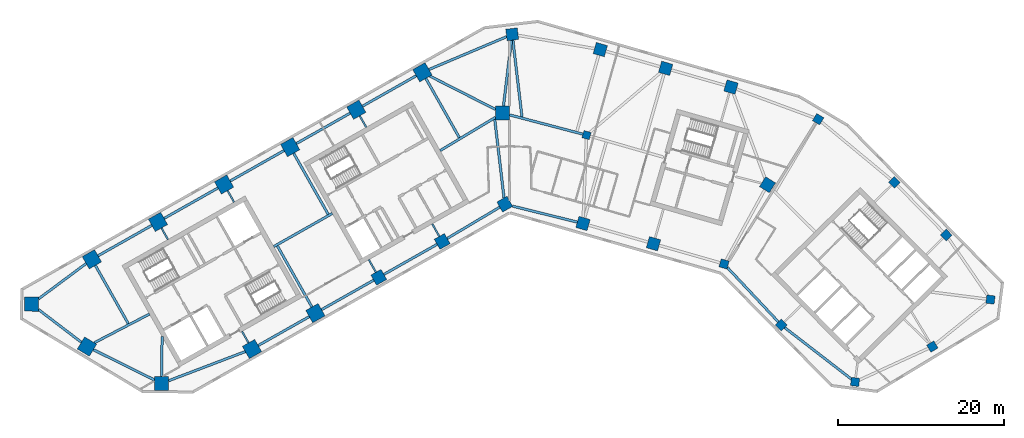
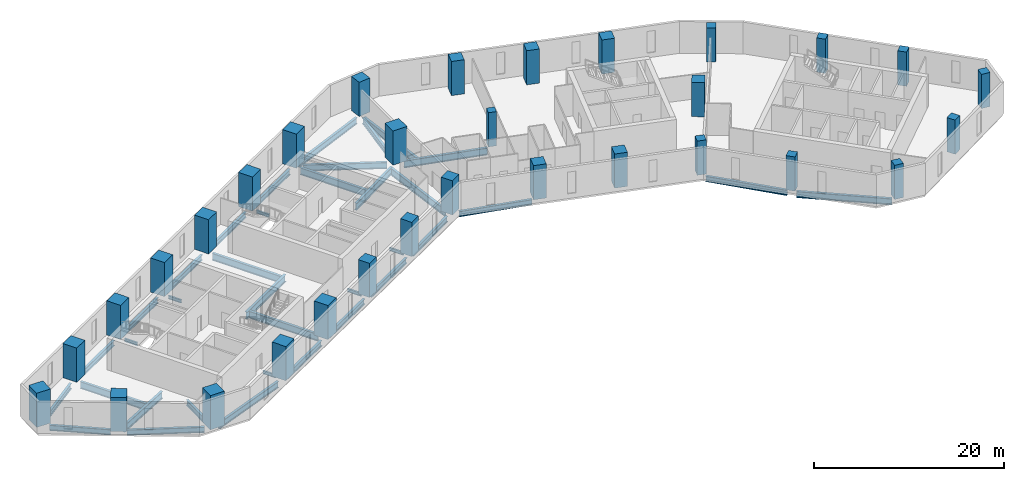
# One storey, part 1 of 10: 36 beams, 31 columns.
"""IFC4 building model written with IfcOpenShell, lengths in metres."""

from ifc_helpers import new_model, si_unit, direction, frame, origin, origin_2d, place, context, subcontext, project, spatial, rectangle, i_section, extrude, material, material_profile, profile_set, type_object, element, save


model = new_model("IFC4")

# Units and contexts
model_context = context("Model", 3, precision=1e-05, world=origin(), true_north=direction((0.0, 1.0)))
body_context = subcontext(model_context, "Body", "Model", "MODEL_VIEW")
ifc_project = project(units=[si_unit("LENGTHUNIT", "METRE"), si_unit("AREAUNIT", "SQUARE_METRE"), si_unit("VOLUMEUNIT", "CUBIC_METRE"), si_unit("PLANEANGLEUNIT", "RADIAN"), si_unit("MASSUNIT", "GRAM", prefix="KILO")], contexts=[model_context])

# Site, building, storey
site_placement = place(None, origin())
site = spatial("IfcSite", under=ifc_project, at=site_placement, CompositionType="ELEMENT")
building_placement = place(site_placement, origin())
building = spatial("IfcBuilding", under=site, at=building_placement, Name="Binnacle Exchange Tower", CompositionType="ELEMENT")
storey_placement = place(building_placement, frame((0.0, 0.0, 136.699951171875)))
storey = spatial("IfcBuildingStorey", under=building, at=storey_placement, Name="L28", CompositionType="ELEMENT", Elevation=136.699951171875)

# Columns
ifc_material_1 = material(Name="Concrete C60/75", Category="concrete")
ifc_material_profile_1 = material_profile(ifc_material_1, rectangle(XDim=0.89990234375, YDim=0.89990234375, at=origin_2d()), Name="Column 900x900 C60/75")
ifc_profile_set_1 = profile_set([ifc_material_profile_1], Name="Concrete C60/75")
column_type_1 = type_object("IfcColumnType", Name="Column 900x900 C60/75", PredefinedType="COLUMN", material=ifc_profile_set_1)
column_placement = place(storey_placement, frame((9.240966796875, 57.35009765625, 0.0), z_axis=(0.0, 0.0, 1.0), x_axis=(0.961261695938, -0.275637355817, 0.0)))
element("IfcColumn", 1, at=column_placement, inside=storey, type_object=column_type_1, Name="S:COL:C19:L28", PredefinedType="COLUMN", context=body_context, shape_type="SweptSolid", body=[
    extrude(rectangle(XDim=0.89990234375, YDim=0.89990234375, at=origin_2d()), origin(), (0.0, 0.0, 1.0), 4.400146484375),
])
ifc_material_2 = material(Name="Concrete C70/85", Category="concrete")
ifc_material_profile_2 = material_profile(ifc_material_2, rectangle(XDim=1.0, YDim=1.0, at=origin_2d()), Name="Mega column 1000x1000 C70/85")
ifc_profile_set_2 = profile_set([ifc_material_profile_2], Name="Concrete C70/85")
column_type_2 = type_object("IfcColumnType", Name="Mega column 1000x1000 C70/85", PredefinedType="COLUMN", material=ifc_profile_set_2)
for number, where, z_axis, x_axis, name in (
    (2, (37.0849609375, 59.262451171875, 0.0), (0.0, 0.0, 1.0), (-0.859406411501, 0.511293086077, 0.0), "S:COL:MC57:L28"),
    (3, (25.766845703125, 41.85986328125, 0.0), (0.0, 0.0, 1.0), (0.961261695938, -0.275637355817, 0.0), "S:COL:MC56:L28"),
    (4, (32.64111328125, 34.530029296875, 0.0), (0.0, 0.0, 1.0), (0.7009092643, -0.713250449154, 0.0), "S:COL:MC59:L28"),
    (5, (41.519775390625, 27.6748046875, 0.0), (0.0, 0.0, 1.0), (0.99200494968, -0.126198969136, 0.0), "S:COL:MC61:L28"),
    (6, (50.81201171875, 31.930908203125, 0.0), (0.0, 0.0, 1.0), (0.857167300702, 0.51503807491, 0.0), "S:COL:MC63:L28"),
    (7, (57.799072265625, 37.5810546875, 0.0), (0.0, 0.0, 1.0), (0.126198969136, 0.99200494968, 0.0), "S:COL:MC62:L28"),
    (8, (52.466796875, 45.33935546875, 0.0), (0.0, 0.0, 1.0), (-0.7009092643, 0.713250449154, 0.0), "S:COL:MC60:L28"),
    (9, (46.248291015625, 51.667236328125, 0.0), (0.0, 0.0, 1.0), (-0.7009092643, 0.713250449154, 0.0), "S:COL:MC58:L28"),
):
    element("IfcColumn", number, at=place(storey_placement, frame(where, z_axis=z_axis, x_axis=x_axis)), inside=storey, type_object=column_type_2, Name=name, PredefinedType="COLUMN", context=body_context, shape_type="SweptSolid", body=[
        extrude(rectangle(XDim=1.0, YDim=1.0, at=origin_2d()), origin(), (0.0, 0.0, 1.0), 4.400146484375),
    ])
ifc_material_profile_3 = material_profile(ifc_material_2, rectangle(XDim=1.39990234375, YDim=1.39990234375, at=origin_2d()), Name="Mega column 1400x1400 C70/85")
ifc_profile_set_3 = profile_set([ifc_material_profile_3], Name="Concrete C70/85")
column_type_3 = type_object("IfcColumnType", Name="Mega column 1400x1400 C70/85", PredefinedType="COLUMN", material=ifc_profile_set_3)
for number, where, z_axis, x_axis, name in (
    (10, (26.602783203125, 63.12353515625, 0.0), (0.0, 0.0, 1.0), (-0.961261695938, 0.275637355817, 0.0), "S:COL:MC52:L28"),
    (11, (18.746337890625, 65.376220703125, 0.0), (0.0, 0.0, 1.0), (-0.961261695938, 0.275637355817, 0.0), "S:COL:MC50:L28"),
    (12, (10.889892578125, 67.62890625, 0.0), (0.0, 0.0, 1.0), (-0.961261695938, 0.275637355817, 0.0), "S:COL:MC48:L28"),
    (13, (0.300048828125, 69.464111328125, 0.0), (0.0, 0.0, 1.0), (-0.993068456955, -0.117537397458, 0.0), "S:COL:MC47:L28"),
    (14, (-15.736328125, 40.257080078125, 0.0), (0.0, 0.0, 1.0), (0.87035569594, 0.492423560103, 0.0), "S:COL:MC24:L28"),
    (15, (-8.116943359375, 44.568115234375, 0.0), (0.0, 0.0, 1.0), (0.87035569594, 0.492423560103, 0.0), "S:COL:MC35:L28"),
    (16, (-0.5908203125, 49.04443359375, 0.0), (0.0, 0.0, 1.0), (0.87035569594, 0.492423560103, 0.0), "S:COL:MC46:L28"),
    (17, (8.8095703125, 46.722412109375, 0.0), (0.0, 0.0, 1.0), (0.961261695938, -0.275637355817, 0.0), "S:COL:MC49:L28"),
    (18, (17.2880859375, 44.291015625, 0.0), (0.0, 0.0, 1.0), (0.961261695938, -0.275637355817, 0.0), "S:COL:MC51:L28"),
    (19, (30.989501953125, 51.38623046875, 0.0), (0.0, 0.0, 1.0), (0.529919264233, 0.848048096156, 0.0), "S:COL:MC55:L28"),
):
    element("IfcColumn", number, at=place(storey_placement, frame(where, z_axis=z_axis, x_axis=x_axis)), inside=storey, type_object=column_type_3, Name=name, PredefinedType="COLUMN", context=body_context, shape_type="SweptSolid", body=[
        extrude(rectangle(XDim=1.39990234375, YDim=1.39990234375, at=origin_2d()), origin(), (0.0, 0.0, 1.0), 4.400146484375),
    ])
ifc_material_profile_4 = material_profile(ifc_material_2, rectangle(XDim=1.699951171875, YDim=1.699951171875, at=origin_2d()), Name="Mega column 1700x1700 C70/85")
ifc_profile_set_4 = profile_set([ifc_material_profile_4], Name="Concrete C70/85")
column_type_4 = type_object("IfcColumnType", Name="Mega column 1700x1700 C70/85", PredefinedType="COLUMN", material=ifc_profile_set_4)
for number, where, z_axis, x_axis, name in (
    (20, (-10.4951171875, 64.901611328125, 0.0), (0.0, 0.0, 1.0), (-0.87035569594, -0.492423560103, 0.0), "S:COL:MC38:L28"),
    (21, (-18.44140625, 60.406005859375, 0.0), (0.0, 0.0, 1.0), (-0.87035569594, -0.492423560103, 0.0), "S:COL:MC29:L28"),
    (22, (-26.3876953125, 55.91015625, 0.0), (0.0, 0.0, 1.0), (-0.87035569594, -0.492423560103, 0.0), "S:COL:MC21:L28"),
    (23, (-34.333740234375, 51.414306640625, 0.0), (0.0, 0.0, 1.0), (-0.87035569594, -0.492423560103, 0.0), "S:COL:MC13:L28"),
    (24, (-42.280029296875, 46.918701171875, 0.0), (0.0, 0.0, 1.0), (-0.87035569594, -0.492423560103, 0.0), "S:COL:MC08:L28"),
    (25, (-50.226318359375, 42.4228515625, 0.0), (0.0, 0.0, 1.0), (-0.87035569594, -0.492423560103, 0.0), "S:COL:MC04:L28"),
    (26, (-57.492919921875, 37.02734375, 0.0), (0.0, 0.0, 1.0), (-0.013089595571, -0.999914327574, 0.0), "S:COL:MC02:L28"),
    (27, (-50.81201171875, 31.930908203125, 0.0), (0.0, 0.0, 1.0), (0.857167300702, -0.51503807491, 0.0), "S:COL:MC01:L28"),
    (28, (-41.857666015625, 27.494873046875, 0.0), (0.0, 0.0, 1.0), (0.999914327574, -0.013089595571, 0.0), "S:COL:MC03:L28"),
    (29, (-30.9755859375, 31.63525390625, 0.0), (0.0, 0.0, 1.0), (0.87035569594, 0.492423560103, 0.0), "S:COL:MC07:L28"),
    (30, (-23.35595703125, 35.9462890625, 0.0), (0.0, 0.0, 1.0), (0.87035569594, 0.492423560103, 0.0), "S:COL:MC16:L28"),
    (31, (-0.85009765625, 60.0, 0.0), (0.0, 0.0, 1.0), (0.0, 1.0, 0.0), "S:COL:MC45:L28"),
):
    element("IfcColumn", number, at=place(storey_placement, frame(where, z_axis=z_axis, x_axis=x_axis)), inside=storey, type_object=column_type_4, Name=name, PredefinedType="COLUMN", context=body_context, shape_type="SweptSolid", body=[
        extrude(rectangle(XDim=1.699951171875, YDim=1.699951171875, at=origin_2d()), origin(), (0.0, 0.0, 1.0), 4.400146484375),
    ])

# Beams
ifc_material_3 = material(Name="Steel S355 (SHN355)", Category="steel")
ifc_material_profile_5 = material_profile(ifc_material_3, i_section(OverallWidth=0.300048828125, OverallDepth=0.699951171875, WebThickness=0.012939453125, FlangeThickness=0.02392578125, FilletRadius=0.028076171875, at=origin_2d()), Name="H 700x300x13x24")
ifc_profile_set_5 = profile_set([ifc_material_profile_5], Name="Steel S355 (SHN355)")
beam_type_1 = type_object("IfcBeamType", Name="Edge girder H 700x300x13x24 Steel S355 (SHN355)", PredefinedType="SPANDREL", material=ifc_profile_set_5)
beam_1_placement = place(storey_placement, frame((-56.6513671875, 36.38525390625, -0.669921875), z_axis=(0.795093040263, -0.606487474994, 0.0), x_axis=(0.606487474994, 0.795093040263, 0.0)))
element("IfcBeam", 32, at=beam_1_placement, inside=storey, type_object=beam_type_1, Name="S:BM:edge:L28:015", PredefinedType="SPANDREL", context=body_context, shape_type="SweptSolid", body=[
    extrude(i_section(OverallWidth=0.300048828125, OverallDepth=0.699951171875, WebThickness=0.012939453125, FlangeThickness=0.02392578125, FilletRadius=0.028076171875, at=origin_2d()), origin(), (0.0, 0.0, 1.0), 6.489013671875),
])
beam_2_placement = place(storey_placement, frame((-50.913818359375, 41.912353515625, -0.669921875), z_axis=(-0.80288535334, -0.59613346609, 0.0), x_axis=(0.59613346609, -0.80288535334, 0.0)))
element("IfcBeam", 33, at=beam_2_placement, inside=storey, type_object=beam_type_1, Name="S:BM:edge:L28:016", PredefinedType="SPANDREL", context=body_context, shape_type="SweptSolid", body=[
    extrude(i_section(OverallWidth=0.300048828125, OverallDepth=0.699951171875, WebThickness=0.012939453125, FlangeThickness=0.02392578125, FilletRadius=0.028076171875, at=origin_2d()), origin(), (0.0, 0.0, 1.0), 7.125244140625),
])
beam_3_placement = place(storey_placement, frame((-43.019775390625, 46.5, -0.669921875), z_axis=(-0.870364477798, -0.492408037898, 0.0), x_axis=(0.492408037898, -0.870364477798, 0.0)))
element("IfcBeam", 34, at=beam_3_placement, inside=storey, type_object=beam_type_1, Name="S:BM:edge:L28:018", PredefinedType="SPANDREL", context=body_context, shape_type="SweptSolid", body=[
    extrude(i_section(OverallWidth=0.300048828125, OverallDepth=0.699951171875, WebThickness=0.012939453125, FlangeThickness=0.02392578125, FilletRadius=0.028076171875, at=origin_2d()), origin(), (0.0, 0.0, 1.0), 7.4296875),
])
beam_4_placement = place(storey_placement, frame((-35.073486328125, 50.995849609375, -0.669921875), z_axis=(-0.870372444894, -0.492393955253, 0.0), x_axis=(0.492393955253, -0.870372444894, 0.0)))
element("IfcBeam", 35, at=beam_4_placement, inside=storey, type_object=beam_type_1, Name="S:BM:edge:L28:020", PredefinedType="SPANDREL", context=body_context, shape_type="SweptSolid", body=[
    extrude(i_section(OverallWidth=0.300048828125, OverallDepth=0.699951171875, WebThickness=0.012939453125, FlangeThickness=0.02392578125, FilletRadius=0.028076171875, at=origin_2d()), origin(), (0.0, 0.0, 1.0), 7.429931640625),
])
beam_5_placement = place(storey_placement, frame((-30.23583984375, 32.053955078125, -0.669921875), z_axis=(0.870373276953, 0.492392484473, 0.0), x_axis=(-0.492392484473, 0.870373276953, 0.0)))
element("IfcBeam", 36, at=beam_5_placement, inside=storey, type_object=beam_type_1, Name="S:BM:edge:L28:021", PredefinedType="SPANDREL", context=body_context, shape_type="SweptSolid", body=[
    extrude(i_section(OverallWidth=0.300048828125, OverallDepth=0.699951171875, WebThickness=0.012939453125, FlangeThickness=0.02392578125, FilletRadius=0.028076171875, at=origin_2d()), origin(), (0.0, 0.0, 1.0), 7.0546875),
])
beam_6_placement = place(storey_placement, frame((-27.12744140625, 55.49169921875, -0.669921875), z_axis=(-0.870350394687, -0.492432929919, 0.0), x_axis=(0.492432929919, -0.870350394687, 0.0)))
element("IfcBeam", 37, at=beam_6_placement, inside=storey, type_object=beam_type_1, Name="S:BM:edge:L28:022", PredefinedType="SPANDREL", context=body_context, shape_type="SweptSolid", body=[
    extrude(i_section(OverallWidth=0.300048828125, OverallDepth=0.699951171875, WebThickness=0.012939453125, FlangeThickness=0.02392578125, FilletRadius=0.028076171875, at=origin_2d()), origin(), (0.0, 0.0, 1.0), 7.429931640625),
])
beam_7_placement = place(storey_placement, frame((-22.6162109375, 36.36474609375, -0.669921875), z_axis=(0.870345646157, 0.492441322612, 0.0), x_axis=(-0.492441322612, 0.870345646157, 0.0)))
element("IfcBeam", 38, at=beam_7_placement, inside=storey, type_object=beam_type_1, Name="S:BM:edge:L28:023", PredefinedType="SPANDREL", context=body_context, shape_type="SweptSolid", body=[
    extrude(i_section(OverallWidth=0.300048828125, OverallDepth=0.699951171875, WebThickness=0.012939453125, FlangeThickness=0.02392578125, FilletRadius=0.028076171875, at=origin_2d()), origin(), (0.0, 0.0, 1.0), 7.20458984375),
])
beam_8_placement = place(storey_placement, frame((-19.18115234375, 59.9873046875, -0.669921875), z_axis=(-0.870364477798, -0.492408037898, 0.0), x_axis=(0.492408037898, -0.870364477798, 0.0)))
element("IfcBeam", 39, at=beam_8_placement, inside=storey, type_object=beam_type_1, Name="S:BM:edge:L28:024", PredefinedType="SPANDREL", context=body_context, shape_type="SweptSolid", body=[
    extrude(i_section(OverallWidth=0.300048828125, OverallDepth=0.699951171875, WebThickness=0.012939453125, FlangeThickness=0.02392578125, FilletRadius=0.028076171875, at=origin_2d()), origin(), (0.0, 0.0, 1.0), 7.4296875),
])
beam_9_placement = place(storey_placement, frame((-15.127197265625, 40.601806640625, -0.669921875), z_axis=(0.870355645737, 0.492423648837, 0.0), x_axis=(-0.492423648837, 0.870355645737, 0.0)))
element("IfcBeam", 40, at=beam_9_placement, inside=storey, type_object=beam_type_1, Name="S:BM:edge:L28:025", PredefinedType="SPANDREL", context=body_context, shape_type="SweptSolid", body=[
    extrude(i_section(OverallWidth=0.300048828125, OverallDepth=0.699951171875, WebThickness=0.012939453125, FlangeThickness=0.02392578125, FilletRadius=0.028076171875, at=origin_2d()), origin(), (0.0, 0.0, 1.0), 7.3544921875),
])
beam_10_placement = place(storey_placement, frame((-11.23486328125, 64.483154296875, -0.669921875), z_axis=(-0.870364477798, -0.492408037898, 0.0), x_axis=(0.492408037898, -0.870364477798, 0.0)))
element("IfcBeam", 41, at=beam_10_placement, inside=storey, type_object=beam_type_1, Name="S:BM:edge:L28:026", PredefinedType="SPANDREL", context=body_context, shape_type="SweptSolid", body=[
    extrude(i_section(OverallWidth=0.300048828125, OverallDepth=0.699951171875, WebThickness=0.012939453125, FlangeThickness=0.02392578125, FilletRadius=0.028076171875, at=origin_2d()), origin(), (0.0, 0.0, 1.0), 7.4296875),
])
beam_11_placement = place(storey_placement, frame((-7.51513671875, 44.926025390625, -0.669921875), z_axis=(0.859466137143, 0.511192682952, 0.0), x_axis=(-0.511192682952, 0.859466137143, 0.0)))
element("IfcBeam", 42, at=beam_11_placement, inside=storey, type_object=beam_type_1, Name="S:BM:edge:L28:027", PredefinedType="SPANDREL", context=body_context, shape_type="SweptSolid", body=[
    extrude(i_section(OverallWidth=0.300048828125, OverallDepth=0.699951171875, WebThickness=0.012939453125, FlangeThickness=0.02392578125, FilletRadius=0.028076171875, at=origin_2d()), origin(), (0.0, 0.0, 1.0), 7.356201171875),
])
beam_12_placement = place(storey_placement, frame((0.343994140625, 48.8134765625, -0.669921875), z_axis=(0.970820959584, -0.239805472064, 0.0), x_axis=(0.239805472064, 0.970820959584, 0.0)))
element("IfcBeam", 43, at=beam_12_placement, inside=storey, type_object=beam_type_1, Name="S:BM:edge:L28:029", PredefinedType="SPANDREL", context=body_context, shape_type="SweptSolid", body=[
    extrude(i_section(OverallWidth=0.300048828125, OverallDepth=0.699951171875, WebThickness=0.012939453125, FlangeThickness=0.02392578125, FilletRadius=0.028076171875, at=origin_2d()), origin(), (0.0, 0.0, 1.0), 8.019287109375),
])
ifc_material_profile_6 = material_profile(ifc_material_3, i_section(OverallWidth=0.302001953125, OverallDepth=0.7080078125, WebThickness=0.014892578125, FlangeThickness=0.028076171875, FilletRadius=0.028076171875, at=origin_2d()), Name="H 708x302x15x28")
ifc_profile_set_6 = profile_set([ifc_material_profile_6], Name="Steel S355 (SHN355)")
beam_type_2 = type_object("IfcBeamType", Name="Edge girder H 708x302x15x28 Steel S355 (SHN355)", PredefinedType="SPANDREL", material=ifc_profile_set_6)
beam_13_placement = place(storey_placement, frame((-50.0478515625, 31.55224609375, -0.674072265625), z_axis=(0.896059216286, -0.443934545749, 0.0), x_axis=(0.443934545749, 0.896059216286, 0.0)))
element("IfcBeam", 44, at=beam_13_placement, inside=storey, type_object=beam_type_2, Name="S:BM:edge:L28:017", PredefinedType="SPANDREL", context=body_context, shape_type="SweptSolid", body=[
    extrude(i_section(OverallWidth=0.302001953125, OverallDepth=0.7080078125, WebThickness=0.014892578125, FlangeThickness=0.028076171875, FilletRadius=0.028076171875, at=origin_2d()), origin(), (0.0, 0.0, 1.0), 8.197509765625),
])
beam_14_placement = place(storey_placement, frame((26.165283203125, 41.43505859375, -0.674072265625), z_axis=(0.684076068391, -0.729410674898, 0.0), x_axis=(0.729410674898, 0.684076068391, 0.0)))
element("IfcBeam", 45, at=beam_14_placement, inside=storey, type_object=beam_type_2, Name="S:BM:edge:L28:035", PredefinedType="SPANDREL", context=body_context, shape_type="SweptSolid", body=[
    extrude(i_section(OverallWidth=0.302001953125, OverallDepth=0.7080078125, WebThickness=0.014892578125, FlangeThickness=0.028076171875, FilletRadius=0.028076171875, at=origin_2d()), origin(), (0.0, 0.0, 1.0), 8.966552734375),
])
ifc_material_profile_7 = material_profile(ifc_material_3, i_section(OverallWidth=0.302001953125, OverallDepth=0.80810546875, WebThickness=0.01611328125, FlangeThickness=0.030029296875, FilletRadius=0.028076171875, at=origin_2d()), Name="H 808x302x16x30")
ifc_profile_set_7 = profile_set([ifc_material_profile_7], Name="Steel S355 (SHN355)")
beam_type_3 = type_object("IfcBeamType", Name="Edge girder H 808x302x16x30 Steel S355 (SHN355)", PredefinedType="SPANDREL", material=ifc_profile_set_7)
beam_15_placement = place(storey_placement, frame((-41.00341796875, 27.81982421875, -0.723876953125), z_axis=(0.934628738252, 0.355624973297, 0.0), x_axis=(-0.355624973297, 0.934628738252, 0.0)))
element("IfcBeam", 46, at=beam_15_placement, inside=storey, type_object=beam_type_3, Name="S:BM:edge:L28:019", PredefinedType="SPANDREL", context=body_context, shape_type="SweptSolid", body=[
    extrude(i_section(OverallWidth=0.302001953125, OverallDepth=0.80810546875, WebThickness=0.01611328125, FlangeThickness=0.030029296875, FilletRadius=0.028076171875, at=origin_2d()), origin(), (0.0, 0.0, 1.0), 9.869384765625),
])
beam_16_placement = place(storey_placement, frame((-0.37109375, 69.180419921875, -0.723876953125), z_axis=(-0.921114465748, -0.389291845523, 0.0), x_axis=(0.389291845523, -0.921114465748, 0.0)))
element("IfcBeam", 47, at=beam_16_placement, inside=storey, type_object=beam_type_3, Name="S:BM:edge:L28:028", PredefinedType="SPANDREL", context=body_context, shape_type="SweptSolid", body=[
    extrude(i_section(OverallWidth=0.302001953125, OverallDepth=0.80810546875, WebThickness=0.01611328125, FlangeThickness=0.030029296875, FilletRadius=0.028076171875, at=origin_2d()), origin(), (0.0, 0.0, 1.0), 10.13525390625),
])
beam_17_placement = place(storey_placement, frame((33.040771484375, 34.2216796875, -0.723876953125), z_axis=(0.791519159984, -0.611144352324, 0.0), x_axis=(0.611144352324, 0.791519159984, 0.0)))
element("IfcBeam", 48, at=beam_17_placement, inside=storey, type_object=beam_type_3, Name="S:BM:edge:L28:036", PredefinedType="SPANDREL", context=body_context, shape_type="SweptSolid", body=[
    extrude(i_section(OverallWidth=0.302001953125, OverallDepth=0.80810546875, WebThickness=0.01611328125, FlangeThickness=0.030029296875, FilletRadius=0.028076171875, at=origin_2d()), origin(), (0.0, 0.0, 1.0), 10.13232421875),
])
ifc_material_profile_8 = material_profile(ifc_material_3, i_section(OverallWidth=0.199951171875, OverallDepth=0.39990234375, WebThickness=0.008056640625, FlangeThickness=0.012939453125, FilletRadius=0.01611328125, at=origin_2d()), Name="H 400x200x8x13")
ifc_profile_set_8 = profile_set([ifc_material_profile_8], Name="Steel S355 (SHN355)")
beam_type_4 = type_object("IfcBeamType", Name="Floor beam H 400x200x8x13 Steel S355 (SHN355)", PredefinedType="BEAM", material=ifc_profile_set_8)
beam_18_placement = place(storey_placement, frame((-41.861328125, 46.178955078125, -0.52001953125), z_axis=(0.492366981934, -0.870387703901, 0.0), x_axis=(0.870387703901, 0.492366981934, 0.0)))
element("IfcBeam", 49, at=beam_18_placement, inside=storey, type_object=beam_type_4, Name="S:BM:cross:L28:044", PredefinedType="BEAM", context=body_context, shape_type="SweptSolid", body=[
    extrude(i_section(OverallWidth=0.199951171875, OverallDepth=0.39990234375, WebThickness=0.008056640625, FlangeThickness=0.012939453125, FilletRadius=0.01611328125, at=origin_2d()), origin(), (0.0, 0.0, 1.0), 1.584228515625),
])
beam_19_placement = place(storey_placement, frame((-33.915283203125, 50.674560546875, -0.52001953125), z_axis=(0.492483715062, -0.870321659158, 0.0), x_axis=(0.870321659158, 0.492483715062, 0.0)))
element("IfcBeam", 50, at=beam_19_placement, inside=storey, type_object=beam_type_4, Name="S:BM:cross:L28:046", PredefinedType="BEAM", context=body_context, shape_type="SweptSolid", body=[
    extrude(i_section(OverallWidth=0.199951171875, OverallDepth=0.39990234375, WebThickness=0.008056640625, FlangeThickness=0.012939453125, FilletRadius=0.01611328125, at=origin_2d()), origin(), (0.0, 0.0, 1.0), 1.58447265625),
])
for number, where, z_axis, x_axis, name in (
    (51, (-31.394287109375, 32.375, -0.52001953125), (-0.492366981934, 0.870387703901, 0.0), (-0.870387703901, -0.492366981934, 0.0), "S:BM:cross:L28:047"),
    (52, (-18.022705078125, 59.666259765625, -0.52001953125), (0.492366981934, -0.870387703901, 0.0), (0.870387703901, 0.492366981934, 0.0), "S:BM:cross:L28:050"),
):
    element("IfcBeam", number, at=place(storey_placement, frame(where, z_axis=z_axis, x_axis=x_axis)), inside=storey, type_object=beam_type_4, Name=name, PredefinedType="BEAM", context=body_context, shape_type="SweptSolid", body=[
        extrude(i_section(OverallWidth=0.199951171875, OverallDepth=0.39990234375, WebThickness=0.008056640625, FlangeThickness=0.012939453125, FilletRadius=0.01611328125, at=origin_2d()), origin(), (0.0, 0.0, 1.0), 1.584228515625),
    ])
for number, where, z_axis, x_axis, name in (
    (53, (-16.0810546875, 40.866455078125, -0.52001953125), (-0.492405102951, 0.870366138236, 0.0), (-0.870366138236, -0.492405102951, 0.0), "S:BM:cross:L28:051"),
    (54, (-8.461669921875, 45.17724609375, -0.52001953125), (-0.492405102951, 0.870366138236, 0.0), (-0.870366138236, -0.492405102951, 0.0), "S:BM:cross:L28:053"),
):
    element("IfcBeam", number, at=place(storey_placement, frame(where, z_axis=z_axis, x_axis=x_axis)), inside=storey, type_object=beam_type_4, Name=name, PredefinedType="BEAM", context=body_context, shape_type="SweptSolid", body=[
        extrude(i_section(OverallWidth=0.199951171875, OverallDepth=0.39990234375, WebThickness=0.008056640625, FlangeThickness=0.012939453125, FilletRadius=0.01611328125, at=origin_2d()), origin(), (0.0, 0.0, 1.0), 1.734375),
    ])
ifc_material_profile_9 = material_profile(ifc_material_3, i_section(OverallWidth=0.300048828125, OverallDepth=0.699951171875, WebThickness=0.012939453125, FlangeThickness=0.02392578125, FilletRadius=0.028076171875, at=origin_2d()), Name="H 700x300x13x24")
ifc_profile_set_9 = profile_set([ifc_material_profile_9], Name="Steel S355 (SHN355)")
beam_type_5 = type_object("IfcBeamType", Name="Floor beam H 700x300x13x24 Steel S355 (SHN355)", PredefinedType="BEAM", material=ifc_profile_set_9)
beam_20_placement = place(storey_placement, frame((-41.8466796875, 28.3447265625, -0.669921875), z_axis=(0.013120628196, 0.999913920853, 0.0), x_axis=(-0.999913920853, 0.013120628196, 0.0)))
element("IfcBeam", 55, at=beam_20_placement, inside=storey, type_object=beam_type_5, Name="S:BM:cross:L28:045", PredefinedType="BEAM", context=body_context, shape_type="SweptSolid", body=[
    extrude(i_section(OverallWidth=0.300048828125, OverallDepth=0.699951171875, WebThickness=0.012939453125, FlangeThickness=0.02392578125, FilletRadius=0.028076171875, at=origin_2d()), origin(), (0.0, 0.0, 1.0), 4.80078125),
])
ifc_material_profile_10 = material_profile(ifc_material_3, i_section(OverallWidth=0.300048828125, OverallDepth=0.89990234375, WebThickness=0.01611328125, FlangeThickness=0.028076171875, FilletRadius=0.028076171875, at=origin_2d()), Name="H 900x300x16x28")
ifc_profile_set_10 = profile_set([ifc_material_profile_10], Name="Steel S355 (SHN355)")
beam_type_6 = type_object("IfcBeamType", Name="Floor beam H 900x300x16x28 Steel S355 (SHN355)", PredefinedType="BEAM", material=ifc_profile_set_10)
beam_21_placement = place(storey_placement, frame((-49.8076171875, 41.68310546875, -0.77001953125), z_axis=(0.492423370769, -0.87035580306, 0.0), x_axis=(0.87035580306, 0.492423370769, 0.0)))
element("IfcBeam", 56, at=beam_21_placement, inside=storey, type_object=beam_type_6, Name="S:BM:cross:L28:043", PredefinedType="BEAM", context=body_context, shape_type="SweptSolid", body=[
    extrude(i_section(OverallWidth=0.300048828125, OverallDepth=0.89990234375, WebThickness=0.01611328125, FlangeThickness=0.028076171875, FilletRadius=0.028076171875, at=origin_2d()), origin(), (0.0, 0.0, 1.0), 8.041259765625),
])
beam_22_placement = place(storey_placement, frame((-10.076416015625, 64.161865234375, -0.77001953125), z_axis=(0.492410737926, -0.870362950254, 0.0), x_axis=(0.870362950254, 0.492410737926, 0.0)))
element("IfcBeam", 57, at=beam_22_placement, inside=storey, type_object=beam_type_6, Name="S:BM:cross:L28:052", PredefinedType="BEAM", context=body_context, shape_type="SweptSolid", body=[
    extrude(i_section(OverallWidth=0.300048828125, OverallDepth=0.89990234375, WebThickness=0.01611328125, FlangeThickness=0.028076171875, FilletRadius=0.028076171875, at=origin_2d()), origin(), (0.0, 0.0, 1.0), 8.16943359375),
])
ifc_material_profile_11 = material_profile(ifc_material_3, i_section(OverallWidth=0.302001953125, OverallDepth=0.912109375, WebThickness=0.01806640625, FlangeThickness=0.033935546875, FilletRadius=0.028076171875, at=origin_2d()), Name="H 912x302x18x34")
ifc_profile_set_11 = profile_set([ifc_material_profile_11], Name="Steel S355 (SHN355)")
beam_type_7 = type_object("IfcBeamType", Name="Floor beam H 912x302x18x34 Steel S355 (SHN355)", PredefinedType="BEAM", material=ifc_profile_set_11)
for number, where, z_axis, x_axis, name in (
    (58, (-25.968994140625, 55.17041015625, -0.77587890625), (0.492409177884, -0.870363832851, 0.0), (0.870363832851, 0.492409177884, 0.0), "S:BM:cross:L28:048"),
    (59, (-23.774658203125, 36.68603515625, -0.77587890625), (-0.492409177884, 0.870363832851, 0.0), (-0.870363832851, -0.492409177884, 0.0), "S:BM:cross:L28:049"),
):
    element("IfcBeam", number, at=place(storey_placement, frame(where, z_axis=z_axis, x_axis=x_axis)), inside=storey, type_object=beam_type_7, Name=name, PredefinedType="BEAM", context=body_context, shape_type="SweptSolid", body=[
        extrude(i_section(OverallWidth=0.302001953125, OverallDepth=0.912109375, WebThickness=0.01806640625, FlangeThickness=0.033935546875, FilletRadius=0.028076171875, at=origin_2d()), origin(), (0.0, 0.0, 1.0), 8.43408203125),
    ])
ifc_material_profile_12 = material_profile(ifc_material_3, i_section(OverallWidth=0.302978515625, OverallDepth=0.91796875, WebThickness=0.01904296875, FlangeThickness=0.037109375, FilletRadius=0.028076171875, at=origin_2d()), Name="H 918x303x19x37")
ifc_profile_set_12 = profile_set([ifc_material_profile_12], Name="Steel S355 (SHN355)")
beam_type_8 = type_object("IfcBeamType", Name="Floor beam H 918x303x19x37 Steel S355 (SHN355)", PredefinedType="BEAM", material=ifc_profile_set_12)
beam_23_placement = place(storey_placement, frame((-0.68017578125, 49.79833984375, -0.779052734375), z_axis=(-0.11752294526, 0.993070167379, 0.0), x_axis=(-0.993070167379, -0.11752294526, 0.0)))
element("IfcBeam", 60, at=beam_23_placement, inside=storey, type_object=beam_type_8, Name="S:BM:cross:L28:054", PredefinedType="BEAM", context=body_context, shape_type="SweptSolid", body=[
    extrude(i_section(OverallWidth=0.302978515625, OverallDepth=0.91796875, WebThickness=0.01904296875, FlangeThickness=0.037109375, FilletRadius=0.028076171875, at=origin_2d()), origin(), (0.0, 0.0, 1.0), 9.537353515625),
])
beam_24_placement = place(storey_placement, frame((0.38232421875, 68.76904296875, -0.779052734375), z_axis=(0.117557103339, -0.993066124412, 0.0), x_axis=(0.993066124412, 0.117557103339, 0.0)))
element("IfcBeam", 61, at=beam_24_placement, inside=storey, type_object=beam_type_8, Name="S:BM:cross:L28:055", PredefinedType="BEAM", context=body_context, shape_type="SweptSolid", body=[
    extrude(i_section(OverallWidth=0.302978515625, OverallDepth=0.91796875, WebThickness=0.01904296875, FlangeThickness=0.037109375, FilletRadius=0.028076171875, at=origin_2d()), origin(), (0.0, 0.0, 1.0), 9.2998046875),
])
ifc_material_profile_13 = material_profile(ifc_material_3, i_section(OverallWidth=0.302001953125, OverallDepth=0.7080078125, WebThickness=0.014892578125, FlangeThickness=0.028076171875, FilletRadius=0.028076171875, at=origin_2d()), Name="H 708x302x15x28")
ifc_profile_set_13 = profile_set([ifc_material_profile_13], Name="Steel S355 (SHN355)")
beam_type_9 = type_object("IfcBeamType", Name="Spine girder H 708x302x15x28 Steel S355 (SHN355)", PredefinedType="BEAM", material=ifc_profile_set_13)
beam_25_placement = place(storey_placement, frame((-0.74658203125, 60.85009765625, -0.674072265625), z_axis=(0.120612669289, 0.992699644408, 0.0), x_axis=(-0.992699644408, 0.120612669289, 0.0)))
element("IfcBeam", 62, at=beam_25_placement, inside=storey, type_object=beam_type_9, Name="S:BM:spine:L28:005", PredefinedType="BEAM", context=body_context, shape_type="SweptSolid", body=[
    extrude(i_section(OverallWidth=0.302001953125, OverallDepth=0.7080078125, WebThickness=0.014892578125, FlangeThickness=0.028076171875, FilletRadius=0.028076171875, at=origin_2d()), origin(), (0.0, 0.0, 1.0), 7.95703125),
])
ifc_material_profile_14 = material_profile(ifc_material_3, i_section(OverallWidth=0.302001953125, OverallDepth=0.80810546875, WebThickness=0.01611328125, FlangeThickness=0.030029296875, FilletRadius=0.028076171875, at=origin_2d()), Name="H 808x302x16x30")
ifc_profile_set_14 = profile_set([ifc_material_profile_14], Name="Steel S355 (SHN355)")
beam_type_10 = type_object("IfcBeamType", Name="Spine girder H 808x302x16x30 Steel S355 (SHN355)", PredefinedType="BEAM", material=ifc_profile_set_14)
beam_26_placement = place(storey_placement, frame((-1.699951171875, 60.431884765625, -0.723876953125), z_axis=(-0.891471296315, 0.45307717648, 0.0), x_axis=(-0.45307717648, -0.891471296315, 0.0)))
element("IfcBeam", 63, at=beam_26_placement, inside=storey, type_object=beam_type_10, Name="S:BM:spine:L28:004", PredefinedType="BEAM", context=body_context, shape_type="SweptSolid", body=[
    extrude(i_section(OverallWidth=0.302001953125, OverallDepth=0.80810546875, WebThickness=0.01611328125, FlangeThickness=0.030029296875, FilletRadius=0.028076171875, at=origin_2d()), origin(), (0.0, 0.0, 1.0), 8.845703125),
])
ifc_material_profile_15 = material_profile(ifc_material_3, i_section(OverallWidth=0.300048828125, OverallDepth=0.89990234375, WebThickness=0.01611328125, FlangeThickness=0.028076171875, FilletRadius=0.028076171875, at=origin_2d()), Name="H 900x300x16x28")
ifc_profile_set_15 = profile_set([ifc_material_profile_15], Name="Steel S355 (SHN355)")
beam_type_11 = type_object("IfcBeamType", Name="Spine girder H 900x300x16x28 Steel S355 (SHN355)", PredefinedType="BEAM", material=ifc_profile_set_15)
beam_27_placement = place(storey_placement, frame((-49.927734375, 32.391357421875, -0.77001953125), z_axis=(0.886979965344, 0.461807904954, 0.0), x_axis=(-0.461807904954, 0.886979965344, 0.0)))
element("IfcBeam", 64, at=beam_27_placement, inside=storey, type_object=beam_type_11, Name="S:BM:spine:L28:001", PredefinedType="BEAM", context=body_context, shape_type="SweptSolid", body=[
    extrude(i_section(OverallWidth=0.300048828125, OverallDepth=0.89990234375, WebThickness=0.01611328125, FlangeThickness=0.028076171875, FilletRadius=0.028076171875, at=origin_2d()), origin(), (0.0, 0.0, 1.0), 7.463623046875),
])
beam_28_placement = place(storey_placement, frame((-8.36328125, 55.489990234375, -0.77001953125), z_axis=(0.857393122678, 0.514662057261, 0.0), x_axis=(-0.514662057261, 0.857393122678, 0.0)))
element("IfcBeam", 65, at=beam_28_placement, inside=storey, type_object=beam_type_11, Name="S:BM:spine:L28:003", PredefinedType="BEAM", context=body_context, shape_type="SweptSolid", body=[
    extrude(i_section(OverallWidth=0.300048828125, OverallDepth=0.89990234375, WebThickness=0.01611328125, FlangeThickness=0.028076171875, FilletRadius=0.028076171875, at=origin_2d()), origin(), (0.0, 0.0, 1.0), 7.771728515625),
])
ifc_material_profile_16 = material_profile(ifc_material_3, i_section(OverallWidth=0.302001953125, OverallDepth=0.912109375, WebThickness=0.01806640625, FlangeThickness=0.033935546875, FilletRadius=0.028076171875, at=origin_2d()), Name="H 912x302x18x34")
ifc_profile_set_16 = profile_set([ifc_material_profile_16], Name="Steel S355 (SHN355)")
beam_type_12 = type_object("IfcBeamType", Name="Spine girder H 912x302x18x34 Steel S355 (SHN355)", PredefinedType="BEAM", material=ifc_profile_set_16)
beam_29_placement = place(storey_placement, frame((-28.365478515625, 43.951416015625, -0.77587890625), z_axis=(0.870350319004, 0.492433063684, 0.0), x_axis=(-0.492433063684, 0.870350319004, 0.0)))
element("IfcBeam", 66, at=beam_29_placement, inside=storey, type_object=beam_type_12, Name="S:BM:spine:L28:002", PredefinedType="BEAM", context=body_context, shape_type="SweptSolid", body=[
    extrude(i_section(OverallWidth=0.302001953125, OverallDepth=0.912109375, WebThickness=0.01806640625, FlangeThickness=0.033935546875, FilletRadius=0.028076171875, at=origin_2d()), origin(), (0.0, 0.0, 1.0), 8.0908203125),
])
ifc_material_profile_17 = material_profile(ifc_material_3, i_section(OverallWidth=0.302978515625, OverallDepth=0.91796875, WebThickness=0.01904296875, FlangeThickness=0.037109375, FilletRadius=0.028076171875, at=origin_2d()), Name="H 918x303x19x37")
ifc_profile_set_17 = profile_set([ifc_material_profile_17], Name="Steel S355 (SHN355)")
beam_type_13 = type_object("IfcBeamType", Name="Spine girder H 918x303x19x37 Steel S355 (SHN355)", PredefinedType="BEAM", material=ifc_profile_set_17)
beam_30_placement = place(storey_placement, frame((0.0, 59.77685546875, -0.779052734375), z_axis=(0.967208488002, -0.253983741089, 0.0), x_axis=(0.253983741089, 0.967208488002, 0.0)))
element("IfcBeam", 67, at=beam_30_placement, inside=storey, type_object=beam_type_13, Name="S:BM:spine:L28:006", PredefinedType="BEAM", context=body_context, shape_type="SweptSolid", body=[
    extrude(i_section(OverallWidth=0.302978515625, OverallDepth=0.91796875, WebThickness=0.01904296875, FlangeThickness=0.037109375, FilletRadius=0.028076171875, at=origin_2d()), origin(), (0.0, 0.0, 1.0), 9.10400390625),
])

save(model, "model.ifc")
